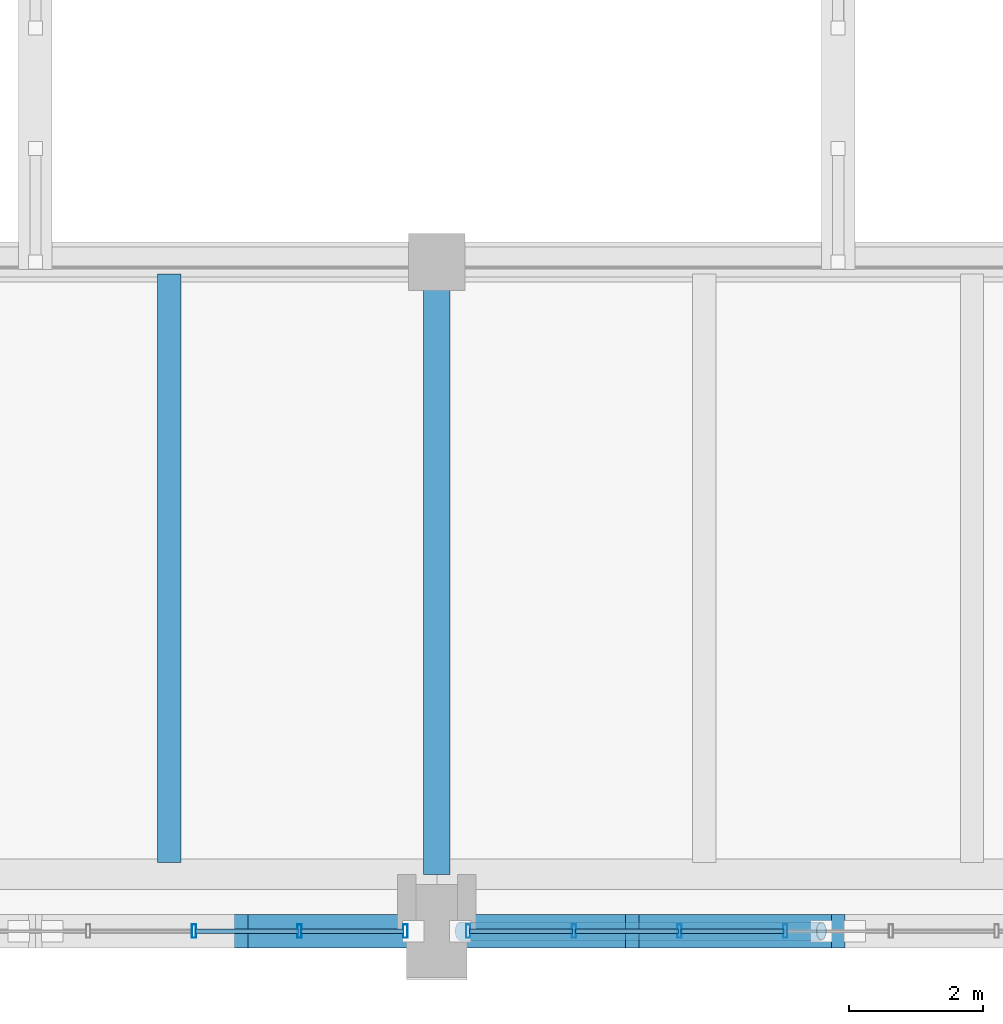
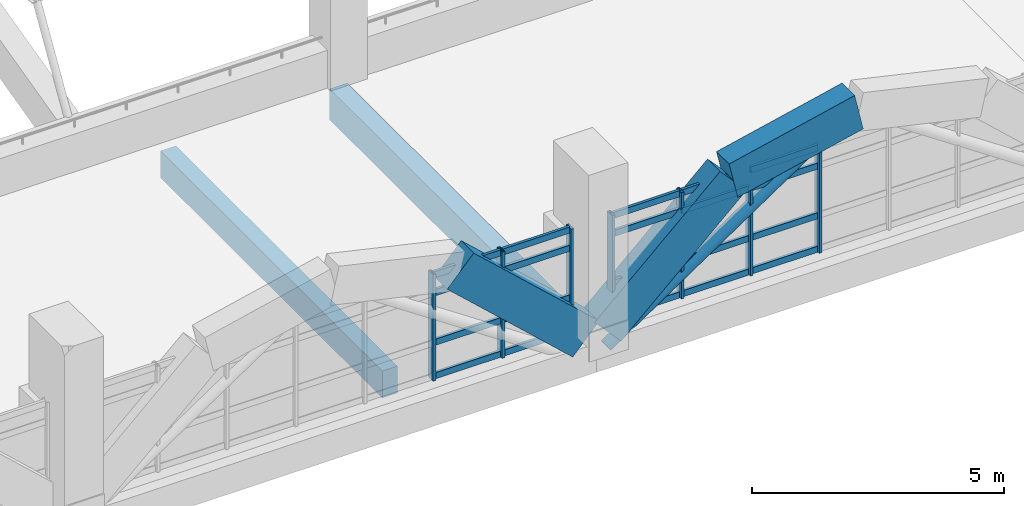
# One storey, part 19 of 161: 28 members, 5 beams, 2 elements without a shape of their own.
"""IFC4 building model written with IfcOpenShell, lengths in metres."""

from ifc_helpers import new_model, si_unit, direction, frame, origin, origin_2d, place, context, subcontext, project, spatial, rectangle, hollow_rectangle, hollow_circle, extrude, material, layer, layer_set, material_profile, profile_set, type_object, element, aggregate, save


model = new_model("IFC4")

# Units and contexts
model_context = context("Model", 3, precision=1e-05, world=origin(), true_north=direction((0.0, 1.0)))
body_context = subcontext(model_context, "Body", "Model", "MODEL_VIEW")
ifc_project = project(units=[si_unit("LENGTHUNIT", "METRE"), si_unit("AREAUNIT", "SQUARE_METRE"), si_unit("VOLUMEUNIT", "CUBIC_METRE"), si_unit("PLANEANGLEUNIT", "RADIAN"), si_unit("MASSUNIT", "GRAM", prefix="KILO")], contexts=[model_context])

# Site, building, storey
site_placement = place(None, origin())
site = spatial("IfcSite", under=ifc_project, at=site_placement, CompositionType="ELEMENT")
building_placement = place(site_placement, origin())
building = spatial("IfcBuilding", under=site, at=building_placement, Name="Mersad Railyard Sports Hall", CompositionType="ELEMENT")
storey_placement = place(building_placement, frame((0.0, 0.0, 4.800048828125)))
storey = spatial("IfcBuildingStorey", under=building, at=storey_placement, Name="L01", CompositionType="ELEMENT", Elevation=4.800048828125)

# Curtain wall, members
ifc_material_1 = material(Name="Aluminium 6063-T6", Category="aluminium")
ifc_layer = layer(ifc_material_1, 0.199951171875)
ifc_layer_set = layer_set([ifc_layer], Name="Aluminium 6063-T6")
curtain_wall_type = type_object("IfcCurtainWallType", Name="ARC-CW-CW02", PredefinedType="USERDEFINED", material=ifc_layer_set)
curtain_wall_1_placement = place(storey_placement, origin())
curtain_wall_1 = element("IfcCurtainWall", 1, at=curtain_wall_1_placement, inside=storey, type_object=curtain_wall_type, Name="Curtain wall CW02-0008", ObjectType="CURTAIN WALL", PredefinedType="USERDEFINED")
ifc_material_profile_1 = material_profile(ifc_material_1, hollow_rectangle(XDim=0.06494140625, YDim=0.199951171875, WallThickness=0.0048828125, at=origin_2d()), Name="AL MULLION 65x200x5")
ifc_profile_set_1 = profile_set([ifc_material_profile_1], Name="Aluminium 6063-T6")
member_type_1 = type_object("IfcMemberType", Name="ARC-CW-MUL02", PredefinedType="MULLION", material=ifc_profile_set_1)
member_1_placement = place(storey_placement, frame((42.530029296875, 3.5, -0.02001953125), z_axis=(0.0, 0.0, 1.0), x_axis=(1.0, 0.0, 0.0)))
member_1 = element("IfcMember", 2, at=member_1_placement, type_object=member_type_1, Name="CW02 Mullion 1", PredefinedType="MULLION", context=body_context, shape_type="SweptSolid", body=[
    extrude(hollow_rectangle(XDim=0.06494140625, YDim=0.199951171875, WallThickness=0.0048828125, at=origin_2d()), origin(), (0.0, 0.0, 1.0), 2.570068359375),
])
member_2_placement = place(storey_placement, frame((40.949951171875, 3.5, -0.02001953125), z_axis=(0.0, 0.0, 1.0), x_axis=(1.0, 0.0, 0.0)))
member_2 = element("IfcMember", 3, at=member_2_placement, type_object=member_type_1, Name="CW02 Mullion 2", PredefinedType="MULLION", context=body_context, shape_type="SweptSolid", body=[
    extrude(hollow_rectangle(XDim=0.06494140625, YDim=0.199951171875, WallThickness=0.0048828125, at=origin_2d()), origin(), (0.0, 0.0, 1.0), 2.570068359375),
])
member_3_placement = place(storey_placement, frame((39.3701171875, 3.5, -0.02001953125), z_axis=(0.0, 0.0, 1.0), x_axis=(1.0, 0.0, 0.0)))
member_3 = element("IfcMember", 4, at=member_3_placement, type_object=member_type_1, Name="CW02 Mullion 3", PredefinedType="MULLION", context=body_context, shape_type="SweptSolid", body=[
    extrude(hollow_rectangle(XDim=0.06494140625, YDim=0.199951171875, WallThickness=0.0048828125, at=origin_2d()), origin(), (0.0, 0.0, 1.0), 2.570068359375),
])

curtain_wall_2_placement = place(storey_placement, origin())
curtain_wall_2 = element("IfcCurtainWall", 5, at=curtain_wall_2_placement, inside=storey, type_object=curtain_wall_type, Name="Curtain wall CW02-0011", ObjectType="CURTAIN WALL", PredefinedType="USERDEFINED")
member_4_placement = place(storey_placement, frame((48.2099609375, 3.5, -0.02001953125), z_axis=(0.0, 0.0, 1.0), x_axis=(1.0, 0.0, 0.0)))
member_4 = element("IfcMember", 6, at=member_4_placement, type_object=member_type_1, Name="CW02 Mullion 5", PredefinedType="MULLION", context=body_context, shape_type="SweptSolid", body=[
    extrude(hollow_rectangle(XDim=0.06494140625, YDim=0.199951171875, WallThickness=0.0048828125, at=origin_2d()), origin(), (0.0, 0.0, 1.0), 2.570068359375),
])
member_5_placement = place(storey_placement, frame((46.6298828125, 3.5, -0.02001953125), z_axis=(0.0, 0.0, 1.0), x_axis=(1.0, 0.0, 0.0)))
member_5 = element("IfcMember", 7, at=member_5_placement, type_object=member_type_1, Name="CW02 Mullion 6", PredefinedType="MULLION", context=body_context, shape_type="SweptSolid", body=[
    extrude(hollow_rectangle(XDim=0.06494140625, YDim=0.199951171875, WallThickness=0.0048828125, at=origin_2d()), origin(), (0.0, 0.0, 1.0), 2.570068359375),
])
member_6_placement = place(storey_placement, frame((45.050048828125, 3.5, -0.02001953125), z_axis=(0.0, 0.0, 1.0), x_axis=(1.0, 0.0, 0.0)))
member_6 = element("IfcMember", 8, at=member_6_placement, type_object=member_type_1, Name="CW02 Mullion 7", PredefinedType="MULLION", context=body_context, shape_type="SweptSolid", body=[
    extrude(hollow_rectangle(XDim=0.06494140625, YDim=0.199951171875, WallThickness=0.0048828125, at=origin_2d()), origin(), (0.0, 0.0, 1.0), 2.570068359375),
])
member_7_placement = place(storey_placement, frame((43.469970703125, 3.5, -0.02001953125), z_axis=(0.0, 0.0, 1.0), x_axis=(1.0, 0.0, 0.0)))
member_7 = element("IfcMember", 9, at=member_7_placement, type_object=member_type_1, Name="CW02 Mullion 8", PredefinedType="MULLION", context=body_context, shape_type="SweptSolid", body=[
    extrude(hollow_rectangle(XDim=0.06494140625, YDim=0.199951171875, WallThickness=0.0048828125, at=origin_2d()), origin(), (0.0, 0.0, 1.0), 2.570068359375),
])

# Member
ifc_material_profile_2 = material_profile(ifc_material_1, hollow_rectangle(XDim=0.06494140625, YDim=0.14990234375, WallThickness=0.00439453125, at=origin_2d()), Name="AL TRANSOM 65x150x4.5")
ifc_profile_set_2 = profile_set([ifc_material_profile_2], Name="Aluminium 6063-T6")
member_type_2 = type_object("IfcMemberType", Name="ARC-CW-TRN02", PredefinedType="USERDEFINED", material=ifc_profile_set_2)
member_8_placement = place(storey_placement, frame((42.510009765625, 3.5, 0.0400390625), z_axis=(-1.0, 0.0, 0.0), x_axis=(0.0, -1.0, 0.0)))
member_8 = element("IfcMember", 10, at=member_8_placement, type_object=member_type_2, Name="CW02 Transom 1-1", ObjectType="TRANSOM", PredefinedType="USERDEFINED", context=body_context, shape_type="SweptSolid", body=[
    extrude(hollow_rectangle(XDim=0.06494140625, YDim=0.14990234375, WallThickness=0.00439453125, at=origin_2d()), origin(), (0.0, 0.0, 1.0), 1.5400390625),
])

member_9_placement = place(storey_placement, frame((40.929931640625, 3.5, 0.0400390625), z_axis=(-1.0, 0.0, 0.0), x_axis=(0.0, -1.0, 0.0)))
member_9 = element("IfcMember", 11, at=member_9_placement, type_object=member_type_2, Name="CW02 Transom 1-2", ObjectType="TRANSOM", PredefinedType="USERDEFINED", context=body_context, shape_type="SweptSolid", body=[
    extrude(hollow_rectangle(XDim=0.06494140625, YDim=0.14990234375, WallThickness=0.00439453125, at=origin_2d()), origin(), (0.0, 0.0, 1.0), 1.5400390625),
])

member_10_placement = place(storey_placement, frame((42.510009765625, 3.5, 0.849853515625), z_axis=(-1.0, 0.0, 0.0), x_axis=(0.0, -1.0, 0.0)))
member_10 = element("IfcMember", 12, at=member_10_placement, type_object=member_type_2, Name="CW02 Transom 2-1", ObjectType="TRANSOM", PredefinedType="USERDEFINED", context=body_context, shape_type="SweptSolid", body=[
    extrude(hollow_rectangle(XDim=0.06494140625, YDim=0.14990234375, WallThickness=0.00439453125, at=origin_2d()), origin(), (0.0, 0.0, 1.0), 1.5400390625),
])

member_11_placement = place(storey_placement, frame((40.929931640625, 3.5, 0.849853515625), z_axis=(-1.0, 0.0, 0.0), x_axis=(0.0, -1.0, 0.0)))
member_11 = element("IfcMember", 13, at=member_11_placement, type_object=member_type_2, Name="CW02 Transom 2-2", ObjectType="TRANSOM", PredefinedType="USERDEFINED", context=body_context, shape_type="SweptSolid", body=[
    extrude(hollow_rectangle(XDim=0.06494140625, YDim=0.14990234375, WallThickness=0.00439453125, at=origin_2d()), origin(), (0.0, 0.0, 1.0), 1.5400390625),
])

member_12_placement = place(storey_placement, frame((42.510009765625, 3.5, 2.050048828125), z_axis=(-1.0, 0.0, 0.0), x_axis=(0.0, -1.0, 0.0)))
member_12 = element("IfcMember", 14, at=member_12_placement, type_object=member_type_2, Name="CW02 Transom 3-1", ObjectType="TRANSOM", PredefinedType="USERDEFINED", context=body_context, shape_type="SweptSolid", body=[
    extrude(hollow_rectangle(XDim=0.06494140625, YDim=0.14990234375, WallThickness=0.00439453125, at=origin_2d()), origin(), (0.0, 0.0, 1.0), 1.5400390625),
])

member_13_placement = place(storey_placement, frame((40.929931640625, 3.5, 2.050048828125), z_axis=(-1.0, 0.0, 0.0), x_axis=(0.0, -1.0, 0.0)))
member_13 = element("IfcMember", 15, at=member_13_placement, type_object=member_type_2, Name="CW02 Transom 3-2", ObjectType="TRANSOM", PredefinedType="USERDEFINED", context=body_context, shape_type="SweptSolid", body=[
    extrude(hollow_rectangle(XDim=0.06494140625, YDim=0.14990234375, WallThickness=0.00439453125, at=origin_2d()), origin(), (0.0, 0.0, 1.0), 1.5400390625),
])

member_14_placement = place(storey_placement, frame((42.510009765625, 3.5, 2.489990234375), z_axis=(-1.0, 0.0, 0.0), x_axis=(0.0, -1.0, 0.0)))
member_14 = element("IfcMember", 16, at=member_14_placement, type_object=member_type_2, Name="CW02 Transom 4-1", ObjectType="TRANSOM", PredefinedType="USERDEFINED", context=body_context, shape_type="SweptSolid", body=[
    extrude(hollow_rectangle(XDim=0.06494140625, YDim=0.14990234375, WallThickness=0.00439453125, at=origin_2d()), origin(), (0.0, 0.0, 1.0), 1.5400390625),
])

member_15_placement = place(storey_placement, frame((40.929931640625, 3.5, 2.489990234375), z_axis=(-1.0, 0.0, 0.0), x_axis=(0.0, -1.0, 0.0)))
member_15 = element("IfcMember", 17, at=member_15_placement, type_object=member_type_2, Name="CW02 Transom 4-2", ObjectType="TRANSOM", PredefinedType="USERDEFINED", context=body_context, shape_type="SweptSolid", body=[
    extrude(hollow_rectangle(XDim=0.06494140625, YDim=0.14990234375, WallThickness=0.00439453125, at=origin_2d()), origin(), (0.0, 0.0, 1.0), 1.5400390625),
])

aggregate(curtain_wall_1, [member_1, member_2, member_3, member_8, member_9, member_10, member_11, member_12, member_13, member_14, member_15])

member_16_placement = place(storey_placement, frame((48.18994140625, 3.5, 0.0400390625), z_axis=(-1.0, 0.0, 0.0), x_axis=(0.0, -1.0, 0.0)))
member_16 = element("IfcMember", 18, at=member_16_placement, type_object=member_type_2, Name="CW02 Transom 1-5", ObjectType="TRANSOM", PredefinedType="USERDEFINED", context=body_context, shape_type="SweptSolid", body=[
    extrude(hollow_rectangle(XDim=0.06494140625, YDim=0.14990234375, WallThickness=0.00439453125, at=origin_2d()), origin(), (0.0, 0.0, 1.0), 1.5400390625),
])

member_17_placement = place(storey_placement, frame((46.610107421875, 3.5, 0.0400390625), z_axis=(-1.0, 0.0, 0.0), x_axis=(0.0, -1.0, 0.0)))
member_17 = element("IfcMember", 19, at=member_17_placement, type_object=member_type_2, Name="CW02 Transom 1-6", ObjectType="TRANSOM", PredefinedType="USERDEFINED", context=body_context, shape_type="SweptSolid", body=[
    extrude(hollow_rectangle(XDim=0.06494140625, YDim=0.14990234375, WallThickness=0.00439453125, at=origin_2d()), origin(), (0.0, 0.0, 1.0), 1.5400390625),
])

member_18_placement = place(storey_placement, frame((45.030029296875, 3.5, 0.0400390625), z_axis=(-1.0, 0.0, 0.0), x_axis=(0.0, -1.0, 0.0)))
member_18 = element("IfcMember", 20, at=member_18_placement, type_object=member_type_2, Name="CW02 Transom 1-7", ObjectType="TRANSOM", PredefinedType="USERDEFINED", context=body_context, shape_type="SweptSolid", body=[
    extrude(hollow_rectangle(XDim=0.06494140625, YDim=0.14990234375, WallThickness=0.00439453125, at=origin_2d()), origin(), (0.0, 0.0, 1.0), 1.5400390625),
])

member_19_placement = place(storey_placement, frame((48.18994140625, 3.5, 0.849853515625), z_axis=(-1.0, 0.0, 0.0), x_axis=(0.0, -1.0, 0.0)))
member_19 = element("IfcMember", 21, at=member_19_placement, type_object=member_type_2, Name="CW02 Transom 2-5", ObjectType="TRANSOM", PredefinedType="USERDEFINED", context=body_context, shape_type="SweptSolid", body=[
    extrude(hollow_rectangle(XDim=0.06494140625, YDim=0.14990234375, WallThickness=0.00439453125, at=origin_2d()), origin(), (0.0, 0.0, 1.0), 1.5400390625),
])

member_20_placement = place(storey_placement, frame((46.610107421875, 3.5, 0.849853515625), z_axis=(-1.0, 0.0, 0.0), x_axis=(0.0, -1.0, 0.0)))
member_20 = element("IfcMember", 22, at=member_20_placement, type_object=member_type_2, Name="CW02 Transom 2-6", ObjectType="TRANSOM", PredefinedType="USERDEFINED", context=body_context, shape_type="SweptSolid", body=[
    extrude(hollow_rectangle(XDim=0.06494140625, YDim=0.14990234375, WallThickness=0.00439453125, at=origin_2d()), origin(), (0.0, 0.0, 1.0), 1.5400390625),
])

member_21_placement = place(storey_placement, frame((45.030029296875, 3.5, 0.849853515625), z_axis=(-1.0, 0.0, 0.0), x_axis=(0.0, -1.0, 0.0)))
member_21 = element("IfcMember", 23, at=member_21_placement, type_object=member_type_2, Name="CW02 Transom 2-7", ObjectType="TRANSOM", PredefinedType="USERDEFINED", context=body_context, shape_type="SweptSolid", body=[
    extrude(hollow_rectangle(XDim=0.06494140625, YDim=0.14990234375, WallThickness=0.00439453125, at=origin_2d()), origin(), (0.0, 0.0, 1.0), 1.5400390625),
])

member_22_placement = place(storey_placement, frame((48.18994140625, 3.5, 2.050048828125), z_axis=(-1.0, 0.0, 0.0), x_axis=(0.0, -1.0, 0.0)))
member_22 = element("IfcMember", 24, at=member_22_placement, type_object=member_type_2, Name="CW02 Transom 3-5", ObjectType="TRANSOM", PredefinedType="USERDEFINED", context=body_context, shape_type="SweptSolid", body=[
    extrude(hollow_rectangle(XDim=0.06494140625, YDim=0.14990234375, WallThickness=0.00439453125, at=origin_2d()), origin(), (0.0, 0.0, 1.0), 1.5400390625),
])

member_23_placement = place(storey_placement, frame((46.610107421875, 3.5, 2.050048828125), z_axis=(-1.0, 0.0, 0.0), x_axis=(0.0, -1.0, 0.0)))
member_23 = element("IfcMember", 25, at=member_23_placement, type_object=member_type_2, Name="CW02 Transom 3-6", ObjectType="TRANSOM", PredefinedType="USERDEFINED", context=body_context, shape_type="SweptSolid", body=[
    extrude(hollow_rectangle(XDim=0.06494140625, YDim=0.14990234375, WallThickness=0.00439453125, at=origin_2d()), origin(), (0.0, 0.0, 1.0), 1.5400390625),
])

member_24_placement = place(storey_placement, frame((45.030029296875, 3.5, 2.050048828125), z_axis=(-1.0, 0.0, 0.0), x_axis=(0.0, -1.0, 0.0)))
member_24 = element("IfcMember", 26, at=member_24_placement, type_object=member_type_2, Name="CW02 Transom 3-7", ObjectType="TRANSOM", PredefinedType="USERDEFINED", context=body_context, shape_type="SweptSolid", body=[
    extrude(hollow_rectangle(XDim=0.06494140625, YDim=0.14990234375, WallThickness=0.00439453125, at=origin_2d()), origin(), (0.0, 0.0, 1.0), 1.5400390625),
])

member_25_placement = place(storey_placement, frame((48.18994140625, 3.5, 2.489990234375), z_axis=(-1.0, 0.0, 0.0), x_axis=(0.0, -1.0, 0.0)))
member_25 = element("IfcMember", 27, at=member_25_placement, type_object=member_type_2, Name="CW02 Transom 4-5", ObjectType="TRANSOM", PredefinedType="USERDEFINED", context=body_context, shape_type="SweptSolid", body=[
    extrude(hollow_rectangle(XDim=0.06494140625, YDim=0.14990234375, WallThickness=0.00439453125, at=origin_2d()), origin(), (0.0, 0.0, 1.0), 1.5400390625),
])

member_26_placement = place(storey_placement, frame((46.610107421875, 3.5, 2.489990234375), z_axis=(-1.0, 0.0, 0.0), x_axis=(0.0, -1.0, 0.0)))
member_26 = element("IfcMember", 28, at=member_26_placement, type_object=member_type_2, Name="CW02 Transom 4-6", ObjectType="TRANSOM", PredefinedType="USERDEFINED", context=body_context, shape_type="SweptSolid", body=[
    extrude(hollow_rectangle(XDim=0.06494140625, YDim=0.14990234375, WallThickness=0.00439453125, at=origin_2d()), origin(), (0.0, 0.0, 1.0), 1.5400390625),
])

member_27_placement = place(storey_placement, frame((45.030029296875, 3.5, 2.489990234375), z_axis=(-1.0, 0.0, 0.0), x_axis=(0.0, -1.0, 0.0)))
member_27 = element("IfcMember", 29, at=member_27_placement, type_object=member_type_2, Name="CW02 Transom 4-7", ObjectType="TRANSOM", PredefinedType="USERDEFINED", context=body_context, shape_type="SweptSolid", body=[
    extrude(hollow_rectangle(XDim=0.06494140625, YDim=0.14990234375, WallThickness=0.00439453125, at=origin_2d()), origin(), (0.0, 0.0, 1.0), 1.5400390625),
])

aggregate(curtain_wall_2, [member_4, member_5, member_6, member_7, member_16, member_17, member_18, member_19, member_20, member_21, member_22, member_23, member_24, member_25, member_26, member_27])

# Beams
ifc_material_2 = material(Name="Concrete C40/50", Category="concrete")
ifc_material_profile_3 = material_profile(ifc_material_2, rectangle(XDim=0.39990234375, YDim=0.75, at=origin_2d()), Name="RC 400x750")
ifc_profile_set_3 = profile_set([ifc_material_profile_3], Name="Concrete C40/50")
beam_type_1 = type_object("IfcBeamType", Name="STR-BM-B01", PredefinedType="BEAM", material=ifc_profile_set_3)
beam_1_placement = place(storey_placement, frame((43.0, 4.35009765625, -0.655029296875), z_axis=(0.0, 1.0, 0.0), x_axis=(-1.0, 0.0, 0.0)))
element("IfcBeam", 30, at=beam_1_placement, inside=storey, type_object=beam_type_1, Name="Beam B01-0296", PredefinedType="BEAM", context=body_context, shape_type="SweptSolid", body=[
    extrude(rectangle(XDim=0.39990234375, YDim=0.75, at=origin_2d()), origin(), (0.0, 0.0, 1.0), 9.14990234375),
])
ifc_material_profile_4 = material_profile(ifc_material_2, rectangle(XDim=0.35009765625, YDim=0.64990234375, at=origin_2d()), Name="RC 350x650")
ifc_profile_set_4 = profile_set([ifc_material_profile_4], Name="Concrete C40/50")
beam_type_2 = type_object("IfcBeamType", Name="STR-BM-J01", PredefinedType="JOIST", material=ifc_profile_set_4)
beam_2_placement = place(storey_placement, frame((39.0, 4.530029296875, -0.60498046875), z_axis=(0.0, 1.0, 0.0), x_axis=(-1.0, 0.0, 0.0)))
element("IfcBeam", 31, at=beam_2_placement, inside=storey, type_object=beam_type_2, Name="Beam J01-0397", PredefinedType="JOIST", context=body_context, shape_type="SweptSolid", body=[
    extrude(rectangle(XDim=0.35009765625, YDim=0.64990234375, at=origin_2d()), origin(), (0.0, 0.0, 1.0), 8.7900390625),
])
ifc_material_3 = material(Name="Architectural concrete C50/60", Category="concrete")
ifc_material_profile_5 = material_profile(ifc_material_3, rectangle(XDim=0.5, YDim=0.89990234375, at=origin_2d()), Name="VR 500x900")
ifc_profile_set_5 = profile_set([ifc_material_profile_5], Name="Architectural concrete C50/60")
beam_type_3 = type_object("IfcBeamType", Name="STR-BM-VR02", PredefinedType="BEAM", material=ifc_profile_set_5)
for number, where, z_axis, x_axis, name in (
    (32, (39.875, 3.5, 2.54736328125), (0.735617187873, 0.0, -0.677397485164), (0.0, 1.0, 0.0), "Beam VR02-0352"),
    (33, (43.25, 3.5, -0.10009765625), (0.735617187873, 0.0, 0.677397485164), (0.0, 1.0, 0.0), "Beam VR02-0356"),
):
    element("IfcBeam", number, at=place(storey_placement, frame(where, z_axis=z_axis, x_axis=x_axis)), inside=storey, type_object=beam_type_3, Name=name, PredefinedType="BEAM", context=body_context, shape_type="SweptSolid", body=[
        extrude(rectangle(XDim=0.5, YDim=0.89990234375, at=origin_2d()), origin(), (0.0, 0.0, 1.0), 3.908203125),
    ])
beam_3_placement = place(storey_placement, frame((46.125, 3.5, 2.54736328125), z_axis=(0.97519301708, 0.0, 0.221356227467), x_axis=(0.0, 1.0, 0.0)))
element("IfcBeam", 34, at=beam_3_placement, inside=storey, type_object=beam_type_3, Name="Beam VR02-0358", PredefinedType="BEAM", context=body_context, shape_type="SweptSolid", body=[
    extrude(rectangle(XDim=0.5, YDim=0.89990234375, at=origin_2d()), origin(), (0.0, 0.0, 1.0), 2.9482421875),
])

# Member
ifc_material_4 = material(Name="Steel S355", Category="steel")
ifc_material_profile_6 = material_profile(ifc_material_4, hollow_circle(Radius=0.136474609375, WallThickness=0.012451171875, at=origin_2d()), Name="CHS 273x12.5")
ifc_profile_set_6 = profile_set([ifc_material_profile_6], Name="Steel S355")
member_type_3 = type_object("IfcMemberType", Name="STR-MEM-BR02", PredefinedType="BRACE", material=ifc_profile_set_6)
member_28_placement = place(storey_placement, frame((43.35009765625, 3.5, -0.6201171875), z_axis=(0.829190125257, 0.0, 0.558966668215), x_axis=(0.0, 1.0, 0.0)))
element("IfcMember", 35, at=member_28_placement, inside=storey, type_object=member_type_3, Name="Structural member BR02-0013", PredefinedType="BRACE", context=body_context, shape_type="SweptSolid", body=[
    extrude(hollow_circle(Radius=0.136474609375, WallThickness=0.012451171875, at=origin_2d()), origin(), (0.0, 0.0, 1.0), 6.51220703125),
])

save(model, "model.ifc")
